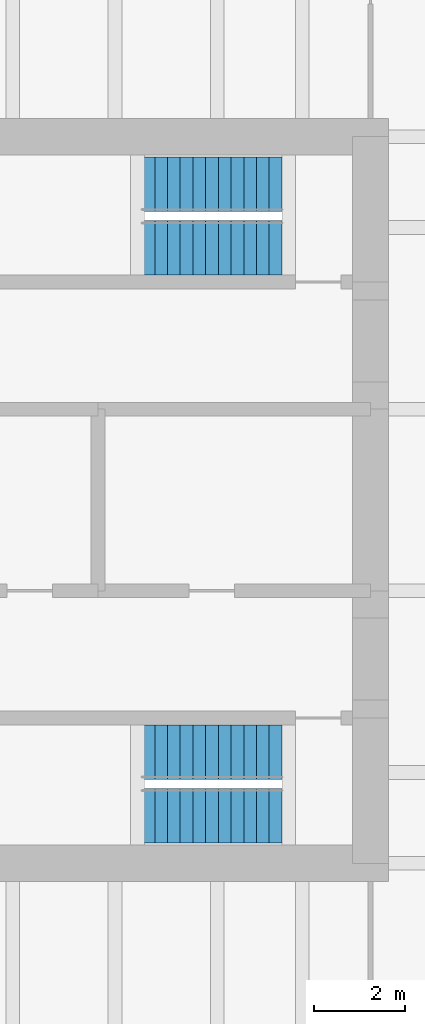
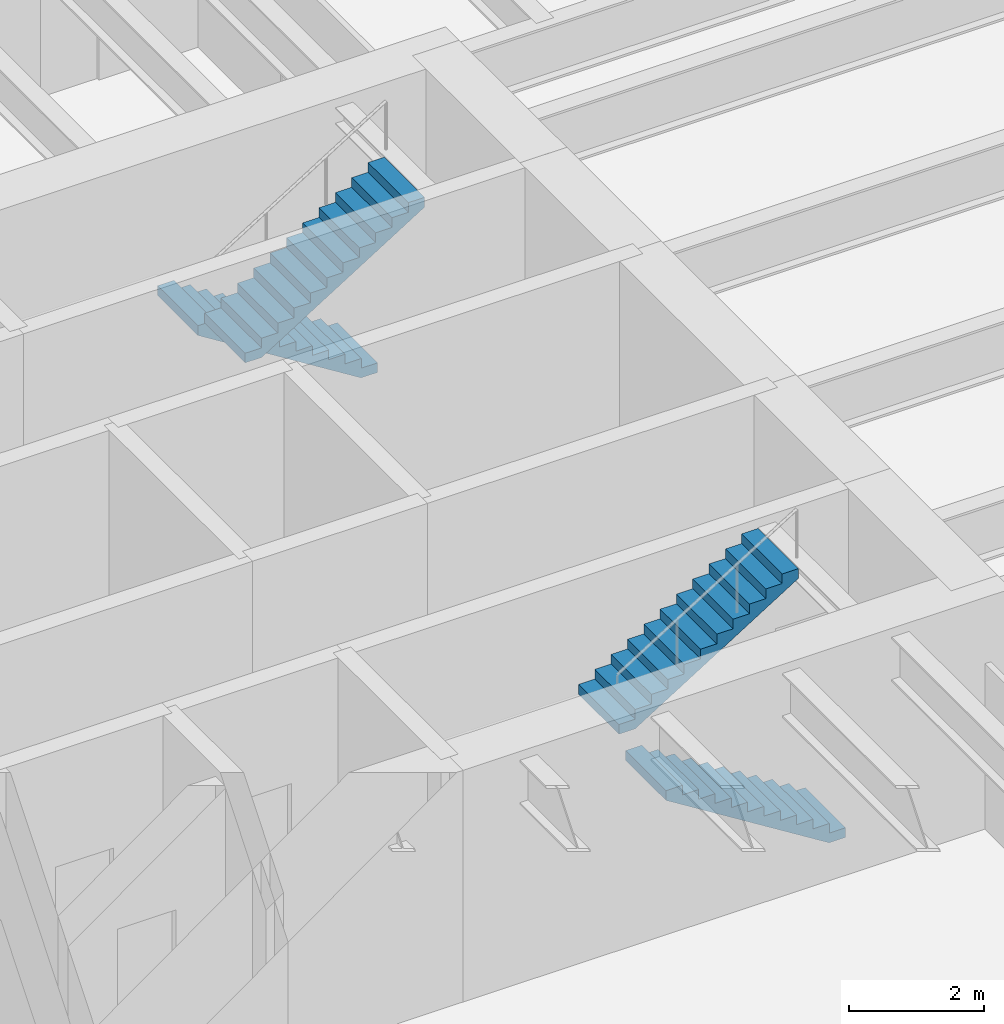
# One storey, part 12 of 14: 4 stair flights, 2 elements without a shape of their own.
"""IFC4 building model written with IfcOpenShell, lengths in metres."""

from ifc_helpers import new_model, si_unit, direction, frame, origin, place, context, subcontext, project, spatial, polyline, outline, extrude, material, type_object, element, aggregate, save


model = new_model("IFC4")

# Units and contexts
model_context = context("Model", 3, precision=1e-05, world=origin(), true_north=direction((0.0, 1.0)))
body_context = subcontext(model_context, "Body", "Model", "MODEL_VIEW")
ifc_project = project(units=[si_unit("LENGTHUNIT", "METRE"), si_unit("AREAUNIT", "SQUARE_METRE"), si_unit("VOLUMEUNIT", "CUBIC_METRE"), si_unit("PLANEANGLEUNIT", "RADIAN"), si_unit("MASSUNIT", "GRAM", prefix="KILO")], contexts=[model_context])

# Site, building, storey
site_placement = place(None, origin())
site = spatial("IfcSite", under=ifc_project, at=site_placement, CompositionType="ELEMENT")
building_placement = place(site_placement, origin())
building = spatial("IfcBuilding", under=site, at=building_placement, Name="Rheinbord Bourse Tower", CompositionType="ELEMENT")
storey_placement = place(building_placement, frame((0.0, 0.0, 185.800048828125)))
storey = spatial("IfcBuildingStorey", under=building, at=storey_placement, Name="L41", CompositionType="ELEMENT", Elevation=185.800048828125)

# Stair, stair flights
ifc_material_1 = material(Name="Concrete C30/37", Category="concrete")
stair_type = type_object("IfcStairType", Name="CORE STAIR HALF TURN 4200", PredefinedType="HALF_TURN_STAIR", material=ifc_material_1)
stair_1_placement = place(storey_placement, origin())
stair_1 = element("IfcStair", 1, at=stair_1_placement, inside=storey, type_object=stair_type, Name="Stair ST3 L41, type CS6", PredefinedType="HALF_TURN_STAIR")
ifc_material_2 = material(Name="Concrete C30/37", Category="concrete")
stair_flight_type = type_object("IfcStairFlightType", Name="CORE STAIR FLIGHT 1200, 12 RISERS", PredefinedType="STRAIGHT", material=ifc_material_2)
stair_flight_1_placement = place(storey_placement, frame((52.050048828125, 17.050048828125, 0.0), z_axis=(0.0, 0.0, 1.0), x_axis=(-1.0, 0.0, 0.0)))
stair_flight_1 = element("IfcStairFlight", 2, at=stair_flight_1_placement, type_object=stair_flight_type, Name="STAIR L41 ST3 F1", NumberOfRisers=12, NumberOfTreads=11, PredefinedType="STRAIGHT", RiserHeight=0.175, TreadLength=0.28, context=body_context, shape_type="SweptSolid", body=[
    extrude(outline(polyline([(0.0, 0.0), (0.0, 0.175048828125), (0.280029296875, 0.175048828125), (0.280029296875, 0.35009765625), (0.56005859375, 0.35009765625), (0.56005859375, 0.52490234375), (0.840087890625, 0.52490234375), (0.840087890625, 0.699951171875), (1.1201171875, 0.699951171875), (1.1201171875, 0.875), (1.39990234375, 0.875), (1.39990234375, 1.050048828125), (1.679931640625, 1.050048828125), (1.679931640625, 1.22509765625), (1.9599609375, 1.22509765625), (1.9599609375, 1.39990234375), (2.239990234375, 1.39990234375), (2.239990234375, 1.574951171875), (2.52001953125, 1.574951171875), (2.52001953125, 1.75), (2.800048828125, 1.75), (2.800048828125, 1.925048828125), (3.080078125, 1.925048828125), (3.080078125, 2.10009765625), (3.080078125, 1.748291015625), (0.28271484375, 0.0), (0.0, 0.0)])), frame((0.0, 0.60009765625, 0.0), z_axis=(0.0, -1.0, 0.0), x_axis=(1.0, 0.0, 0.0)), (0.0, 0.0, 1.0), 1.199951171875),
])
stair_flight_2_placement = place(storey_placement, frame((48.969970703125, 18.449951171875, 2.099853515625), z_axis=(0.0, 0.0, 1.0), x_axis=(1.0, 0.0, 0.0)))
stair_flight_2 = element("IfcStairFlight", 3, at=stair_flight_2_placement, type_object=stair_flight_type, Name="STAIR L41 ST3 F2", NumberOfRisers=12, NumberOfTreads=11, PredefinedType="STRAIGHT", RiserHeight=0.175, TreadLength=0.28, context=body_context, shape_type="SweptSolid", body=[
    extrude(outline(polyline([(0.0, 0.0), (0.0, 0.175048828125), (0.280029296875, 0.175048828125), (0.280029296875, 0.35009765625), (0.56005859375, 0.35009765625), (0.56005859375, 0.52490234375), (0.840087890625, 0.52490234375), (0.840087890625, 0.699951171875), (1.1201171875, 0.699951171875), (1.1201171875, 0.875), (1.39990234375, 0.875), (1.39990234375, 1.050048828125), (1.679931640625, 1.050048828125), (1.679931640625, 1.22509765625), (1.9599609375, 1.22509765625), (1.9599609375, 1.39990234375), (2.239990234375, 1.39990234375), (2.239990234375, 1.574951171875), (2.52001953125, 1.574951171875), (2.52001953125, 1.75), (2.800048828125, 1.75), (2.800048828125, 1.925048828125), (3.080078125, 1.925048828125), (3.080078125, 2.10009765625), (3.080078125, 1.748291015625), (0.28271484375, 0.0), (0.0, 0.0)])), frame((0.0, 0.60009765625, 0.0), z_axis=(0.0, -1.0, 0.0), x_axis=(1.0, 0.0, 0.0)), (0.0, 0.0, 1.0), 1.199951171875),
])
aggregate(stair_1, [stair_flight_1, stair_flight_2])

stair_2_placement = place(storey_placement, origin())
stair_2 = element("IfcStair", 4, at=stair_2_placement, inside=storey, type_object=stair_type, Name="Stair ST4 L41, type CS6", PredefinedType="HALF_TURN_STAIR")
stair_flight_3_placement = place(storey_placement, frame((52.050048828125, 30.949951171875, 0.0), z_axis=(0.0, 0.0, 1.0), x_axis=(-1.0, 0.0, 0.0)))
stair_flight_3 = element("IfcStairFlight", 5, at=stair_flight_3_placement, type_object=stair_flight_type, Name="STAIR L41 ST4 F1", NumberOfRisers=12, NumberOfTreads=11, PredefinedType="STRAIGHT", RiserHeight=0.175, TreadLength=0.28, context=body_context, shape_type="SweptSolid", body=[
    extrude(outline(polyline([(0.0, 0.0), (0.0, 0.175048828125), (0.280029296875, 0.175048828125), (0.280029296875, 0.35009765625), (0.56005859375, 0.35009765625), (0.56005859375, 0.52490234375), (0.840087890625, 0.52490234375), (0.840087890625, 0.699951171875), (1.1201171875, 0.699951171875), (1.1201171875, 0.875), (1.39990234375, 0.875), (1.39990234375, 1.050048828125), (1.679931640625, 1.050048828125), (1.679931640625, 1.22509765625), (1.9599609375, 1.22509765625), (1.9599609375, 1.39990234375), (2.239990234375, 1.39990234375), (2.239990234375, 1.574951171875), (2.52001953125, 1.574951171875), (2.52001953125, 1.75), (2.800048828125, 1.75), (2.800048828125, 1.925048828125), (3.080078125, 1.925048828125), (3.080078125, 2.10009765625), (3.080078125, 1.748291015625), (0.28271484375, 0.0), (0.0, 0.0)])), frame((0.0, 0.60009765625, 0.0), z_axis=(0.0, -1.0, 0.0), x_axis=(1.0, 0.0, 0.0)), (0.0, 0.0, 1.0), 1.199951171875),
])
stair_flight_4_placement = place(storey_placement, frame((48.969970703125, 29.550048828125, 2.099853515625), z_axis=(0.0, 0.0, 1.0), x_axis=(1.0, 0.0, 0.0)))
stair_flight_4 = element("IfcStairFlight", 6, at=stair_flight_4_placement, type_object=stair_flight_type, Name="STAIR L41 ST4 F2", NumberOfRisers=12, NumberOfTreads=11, PredefinedType="STRAIGHT", RiserHeight=0.175, TreadLength=0.28, context=body_context, shape_type="SweptSolid", body=[
    extrude(outline(polyline([(0.0, 0.0), (0.0, 0.175048828125), (0.280029296875, 0.175048828125), (0.280029296875, 0.35009765625), (0.56005859375, 0.35009765625), (0.56005859375, 0.52490234375), (0.840087890625, 0.52490234375), (0.840087890625, 0.699951171875), (1.1201171875, 0.699951171875), (1.1201171875, 0.875), (1.39990234375, 0.875), (1.39990234375, 1.050048828125), (1.679931640625, 1.050048828125), (1.679931640625, 1.22509765625), (1.9599609375, 1.22509765625), (1.9599609375, 1.39990234375), (2.239990234375, 1.39990234375), (2.239990234375, 1.574951171875), (2.52001953125, 1.574951171875), (2.52001953125, 1.75), (2.800048828125, 1.75), (2.800048828125, 1.925048828125), (3.080078125, 1.925048828125), (3.080078125, 2.10009765625), (3.080078125, 1.748291015625), (0.28271484375, 0.0), (0.0, 0.0)])), frame((0.0, 0.60009765625, 0.0), z_axis=(0.0, -1.0, 0.0), x_axis=(1.0, 0.0, 0.0)), (0.0, 0.0, 1.0), 1.199951171875),
])
aggregate(stair_2, [stair_flight_3, stair_flight_4])

save(model, "model.ifc")
